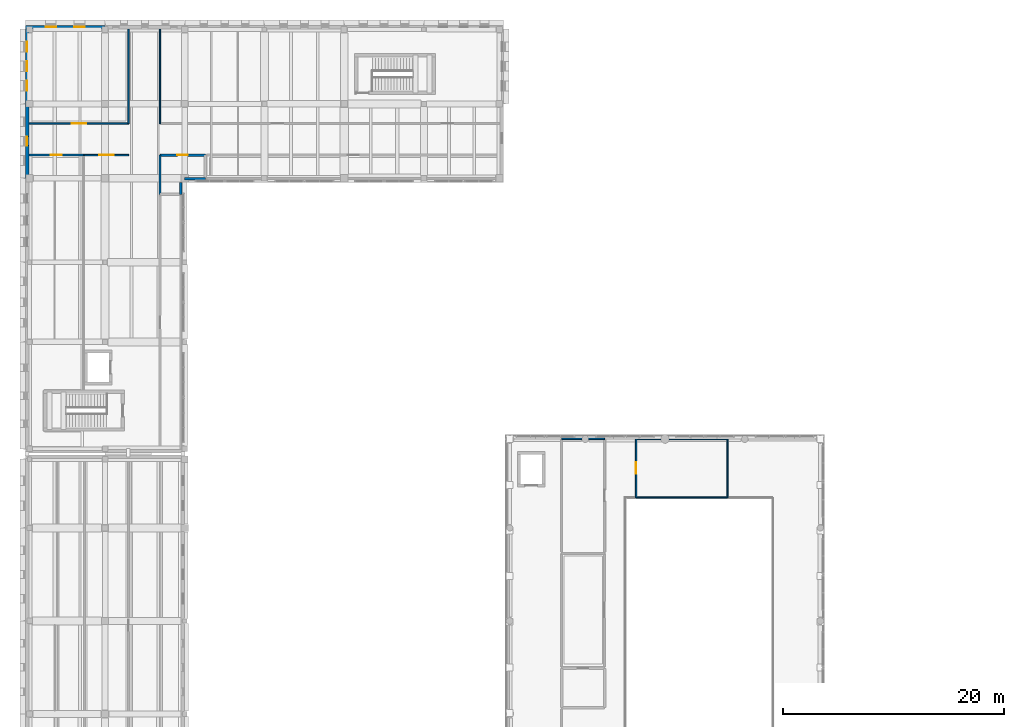
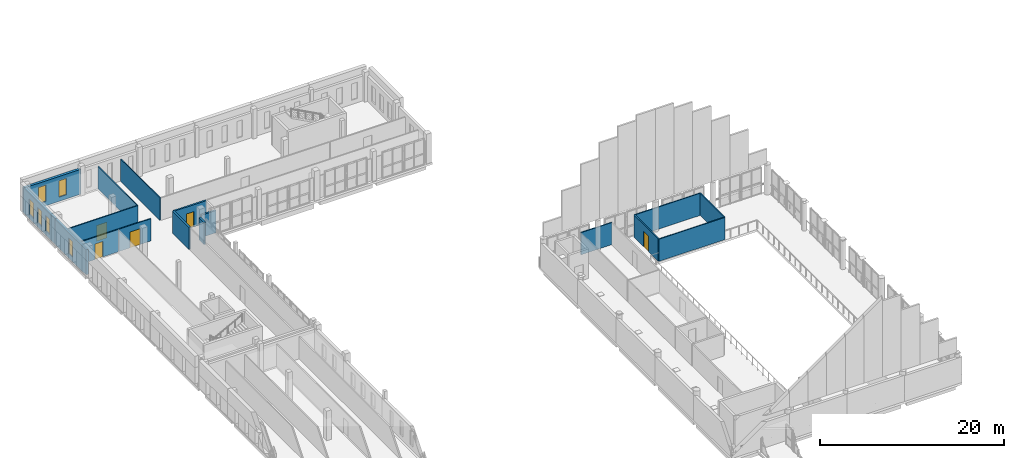
# One storey, part 58 of 76: 17 walls, 6 windows, 5 doors, 11 openings.
"""IFC4 building model written with IfcOpenShell, lengths in metres."""

from ifc_helpers import new_model, si_unit, direction, frame, frame_2d, origin, place, context, subcontext, project, spatial, rectangle, extrude, material, layer, layer_set, type_object, element, fill, save


model = new_model("IFC4")

# Units and contexts
model_context = context("Model", 3, precision=1e-05, world=origin(), true_north=direction((0.0, 1.0)))
body_context = subcontext(model_context, "Body", "Model", "MODEL_VIEW")
ifc_project = project(units=[si_unit("LENGTHUNIT", "METRE"), si_unit("AREAUNIT", "SQUARE_METRE"), si_unit("VOLUMEUNIT", "CUBIC_METRE"), si_unit("PLANEANGLEUNIT", "RADIAN"), si_unit("MASSUNIT", "GRAM", prefix="KILO")], contexts=[model_context])

# Site, building, storey
site_placement = place(None, origin())
site = spatial("IfcSite", under=ifc_project, at=site_placement, CompositionType="ELEMENT")
building_placement = place(site_placement, origin())
building = spatial("IfcBuilding", under=site, at=building_placement, Name="Vardoun Plaza Health Centre", CompositionType="ELEMENT")
storey_placement = place(building_placement, frame((0.0, 0.0, 4.5)))
storey = spatial("IfcBuildingStorey", under=building, at=storey_placement, Name="L01", CompositionType="ELEMENT", Elevation=4.5)

# Wall, openings, windows
ifc_material_1 = material(Name="Pale Limestone Concrete C35/45", Category="masonry")
ifc_layer_1 = layer(ifc_material_1, 0.31494140625)
ifc_layer_set_1 = layer_set([ifc_layer_1], Name="Pale Limestone Concrete C35/45")
wall_type_1 = type_object("IfcWallType", Name="EW-03", PredefinedType="SOLIDWALL", material=ifc_layer_set_1)
wall_1_placement = place(storey_placement, frame((4.5, 115.142578125, 0.0), z_axis=(0.0, 0.0, 1.0), x_axis=(1.0, 0.0, 0.0)))
wall_1 = element("IfcWall", 1, at=wall_1_placement, inside=storey, type_object=wall_type_1, Name="V3 L01 Exterior Wall EW-V3-259", PredefinedType="SOLIDWALL", context=body_context, shape_type="SweptSolid", body=[
    extrude(rectangle(XDim=7.199951171875, YDim=0.31494140625, at=frame_2d((3.60009765625, 0.0))), origin(), (0.0, 0.0, 1.0), 3.300048828125),
])
opening_1_placement = place(wall_1_placement, frame((1.833984375, 0.0, 0.550048828125)))
opening_1 = element("IfcOpeningElement", 2, at=opening_1_placement, cuts=wall_1, Name="Opening W-10-003", PredefinedType="OPENING", context=body_context, shape_type="SweptSolid", body=[
    extrude(rectangle(XDim=0.93994140625, YDim=2.179931640625, at=frame_2d((0.469970703125, 1.08984375))), frame((0.0, 0.157470703125, 0.0), z_axis=(0.0, -1.0, 0.0), x_axis=(1.0, 0.0, 0.0)), (0.0, 0.0, 1.0), 0.31494140625),
])
opening_2_placement = place(wall_1_placement, frame((4.426025390625, 0.0, 0.550048828125)))
opening_2 = element("IfcOpeningElement", 3, at=opening_2_placement, cuts=wall_1, Name="Opening W-10-004", PredefinedType="OPENING", context=body_context, shape_type="SweptSolid", body=[
    extrude(rectangle(XDim=0.93994140625, YDim=2.179931640625, at=frame_2d((0.469970703125, 1.08984375))), frame((0.0, 0.157470703125, 0.0), z_axis=(0.0, -1.0, 0.0), x_axis=(1.0, 0.0, 0.0)), (0.0, 0.0, 1.0), 0.31494140625),
])
ifc_material_2 = material(Name="Aluminium Alloy EN AW-6063-T6 and Low-E Glass", Category="aluminium")
window_type_1 = type_object("IfcWindowType", Name="W-10", PartitioningType="DOUBLE_PANEL_VERTICAL", PredefinedType="WINDOW", material=ifc_material_2)
window_1_placement = place(opening_1_placement, origin())
window_1 = element("IfcWindow", 4, at=window_1_placement, inside=storey, type_object=window_type_1, Name="V3 L01 Deep-Punched Slot Window W-10-388", OverallHeight=2.179931640625, OverallWidth=0.93994140625, PartitioningType="DOUBLE_PANEL_VERTICAL", PredefinedType="WINDOW", context=body_context, shape_type="SweptSolid", body=[
    extrude(rectangle(XDim=0.93994140625, YDim=2.179931640625, at=frame_2d((0.469970703125, 1.08984375))), frame((0.0, 0.030029296875, 0.0), z_axis=(0.0, -1.0, 0.0), x_axis=(1.0, 0.0, 0.0)), (0.0, 0.0, 1.0), 0.06005859375),
])
fill(opening_1, window_1)
window_2_placement = place(opening_2_placement, origin())
window_2 = element("IfcWindow", 5, at=window_2_placement, inside=storey, type_object=window_type_1, Name="V3 L01 Deep-Punched Slot Window W-10-389", OverallHeight=2.179931640625, OverallWidth=0.93994140625, PartitioningType="DOUBLE_PANEL_VERTICAL", PredefinedType="WINDOW", context=body_context, shape_type="SweptSolid", body=[
    extrude(rectangle(XDim=0.93994140625, YDim=2.179931640625, at=frame_2d((0.469970703125, 1.08984375))), frame((0.0, 0.030029296875, 0.0), z_axis=(0.0, -1.0, 0.0), x_axis=(1.0, 0.0, 0.0)), (0.0, 0.0, 1.0), 0.06005859375),
])
fill(opening_2, window_2)

# Wall, opening, window
wall_2_placement = place(storey_placement, frame((4.657470703125, 101.47998046875, 0.0), z_axis=(0.0, 0.0, 1.0), x_axis=(0.0, 1.0, 0.0)))
wall_2 = element("IfcWall", 6, at=wall_2_placement, inside=storey, type_object=wall_type_1, Name="V3 L01 Exterior Wall EW-V3-272", PredefinedType="SOLIDWALL", context=body_context, shape_type="SweptSolid", body=[
    extrude(rectangle(XDim=6.719970703125, YDim=0.31494140625, at=frame_2d((3.35986328125, 0.0))), origin(), (0.0, 0.0, 1.0), 3.320068359375),
])
opening_3_placement = place(wall_2_placement, frame((2.945068359375, 0.0, 0.550048828125)))
opening_3 = element("IfcOpeningElement", 7, at=opening_3_placement, cuts=wall_2, Name="Opening W-34-004", PredefinedType="OPENING", context=body_context, shape_type="SweptSolid", body=[
    extrude(rectangle(XDim=0.830078125, YDim=2.06005859375, at=frame_2d((0.4150390625, 1.030029296875))), frame((0.0, 0.157470703125, 0.0), z_axis=(0.0, -1.0, 0.0), x_axis=(1.0, 0.0, 0.0)), (0.0, 0.0, 1.0), 0.31494140625),
])
ifc_material_3 = material(Name="Aluminium Alloy EN AW-6063-T6 and Low-E Glass", Category="aluminium")
window_type_2 = type_object("IfcWindowType", Name="W-34", PartitioningType="SINGLE_PANEL", PredefinedType="WINDOW", material=ifc_material_3)
window_3_placement = place(opening_3_placement, origin())
window_3 = element("IfcWindow", 8, at=window_3_placement, inside=storey, type_object=window_type_2, Name="V3 L01 Deep-Punched Slot Window W-34-421", OverallHeight=2.06005859375, OverallWidth=0.830078125, PartitioningType="SINGLE_PANEL", PredefinedType="WINDOW", context=body_context, shape_type="SweptSolid", body=[
    extrude(rectangle(XDim=0.830078125, YDim=2.06005859375, at=frame_2d((0.4150390625, 1.030029296875))), frame((0.0, 0.030029296875, 0.0), z_axis=(0.0, -1.0, 0.0), x_axis=(1.0, 0.0, 0.0)), (0.0, 0.0, 1.0), 0.06005859375),
])
fill(opening_3, window_3)

# Wall, openings, windows
wall_3_placement = place(storey_placement, frame((4.657470703125, 108.199951171875, 0.0), z_axis=(0.0, 0.0, 1.0), x_axis=(0.0, 1.0, 0.0)))
wall_3 = element("IfcWall", 9, at=wall_3_placement, inside=storey, type_object=wall_type_1, Name="V3 L01 Exterior Wall EW-V3-273", PredefinedType="SOLIDWALL", context=body_context, shape_type="SweptSolid", body=[
    extrude(rectangle(XDim=6.78515625, YDim=0.31494140625, at=frame_2d((3.392578125, 0.0))), origin(), (0.0, 0.0, 1.0), 3.340087890625),
])
opening_4_placement = place(wall_3_placement, frame((1.183349609375, 0.0, 0.550048828125)))
opening_4 = element("IfcOpeningElement", 10, at=opening_4_placement, cuts=wall_3, Name="Opening W-35-009", PredefinedType="OPENING", context=body_context, shape_type="SweptSolid", body=[
    extrude(rectangle(XDim=0.889892578125, YDim=2.02001953125, at=frame_2d((0.44482421875, 1.010009765625))), frame((0.0, 0.157470703125, 0.0), z_axis=(0.0, -1.0, 0.0), x_axis=(1.0, 0.0, 0.0)), (0.0, 0.0, 1.0), 0.31494140625),
])
opening_5_placement = place(wall_3_placement, frame((2.947509765625, 0.0, 0.550048828125)))
opening_5 = element("IfcOpeningElement", 11, at=opening_5_placement, cuts=wall_3, Name="Opening W-35-010", PredefinedType="OPENING", context=body_context, shape_type="SweptSolid", body=[
    extrude(rectangle(XDim=0.889892578125, YDim=2.02001953125, at=frame_2d((0.44482421875, 1.010009765625))), frame((0.0, 0.157470703125, 0.0), z_axis=(0.0, -1.0, 0.0), x_axis=(1.0, 0.0, 0.0)), (0.0, 0.0, 1.0), 0.31494140625),
])
opening_6_placement = place(wall_3_placement, frame((4.711669921875, 0.0, 0.550048828125)))
opening_6 = element("IfcOpeningElement", 12, at=opening_6_placement, cuts=wall_3, Name="Opening W-35-011", PredefinedType="OPENING", context=body_context, shape_type="SweptSolid", body=[
    extrude(rectangle(XDim=0.889892578125, YDim=2.02001953125, at=frame_2d((0.44482421875, 1.010009765625))), frame((0.0, 0.157470703125, 0.0), z_axis=(0.0, -1.0, 0.0), x_axis=(1.0, 0.0, 0.0)), (0.0, 0.0, 1.0), 0.31494140625),
])
ifc_material_4 = material(Name="Aluminium Alloy EN AW-6063-T6 and Low-E Glass", Category="aluminium")
window_type_3 = type_object("IfcWindowType", Name="W-35", PartitioningType="DOUBLE_PANEL_VERTICAL", PredefinedType="WINDOW", material=ifc_material_4)
window_4_placement = place(opening_4_placement, origin())
window_4 = element("IfcWindow", 13, at=window_4_placement, inside=storey, type_object=window_type_3, Name="V3 L01 Deep-Punched Slot Window W-35-423", OverallHeight=2.02001953125, OverallWidth=0.889892578125, PartitioningType="DOUBLE_PANEL_VERTICAL", PredefinedType="WINDOW", context=body_context, shape_type="SweptSolid", body=[
    extrude(rectangle(XDim=0.889892578125, YDim=2.02001953125, at=frame_2d((0.44482421875, 1.010009765625))), frame((0.0, 0.030029296875, 0.0), z_axis=(0.0, -1.0, 0.0), x_axis=(1.0, 0.0, 0.0)), (0.0, 0.0, 1.0), 0.06005859375),
])
fill(opening_4, window_4)
window_5_placement = place(opening_5_placement, origin())
window_5 = element("IfcWindow", 14, at=window_5_placement, inside=storey, type_object=window_type_3, Name="V3 L01 Deep-Punched Slot Window W-35-424", OverallHeight=2.02001953125, OverallWidth=0.889892578125, PartitioningType="DOUBLE_PANEL_VERTICAL", PredefinedType="WINDOW", context=body_context, shape_type="SweptSolid", body=[
    extrude(rectangle(XDim=0.889892578125, YDim=2.02001953125, at=frame_2d((0.44482421875, 1.010009765625))), frame((0.0, 0.030029296875, 0.0), z_axis=(0.0, -1.0, 0.0), x_axis=(1.0, 0.0, 0.0)), (0.0, 0.0, 1.0), 0.06005859375),
])
fill(opening_5, window_5)
window_6_placement = place(opening_6_placement, origin())
window_6 = element("IfcWindow", 15, at=window_6_placement, inside=storey, type_object=window_type_3, Name="V3 L01 Deep-Punched Slot Window W-35-425", OverallHeight=2.02001953125, OverallWidth=0.889892578125, PartitioningType="DOUBLE_PANEL_VERTICAL", PredefinedType="WINDOW", context=body_context, shape_type="SweptSolid", body=[
    extrude(rectangle(XDim=0.889892578125, YDim=2.02001953125, at=frame_2d((0.44482421875, 1.010009765625))), frame((0.0, 0.030029296875, 0.0), z_axis=(0.0, -1.0, 0.0), x_axis=(1.0, 0.0, 0.0)), (0.0, 0.0, 1.0), 0.06005859375),
])
fill(opening_6, window_6)

# Wall, opening, door
ifc_material_5 = material(Name="Acoustic Gypsum Twin-Stud", Category="steel")
ifc_layer_2 = layer(ifc_material_5, 0.14990234375)
ifc_layer_set_2 = layer_set([ifc_layer_2], Name="Acoustic Gypsum Twin-Stud")
wall_type_2 = type_object("IfcWallType", Name="IW-04", PredefinedType="PARTITIONING", material=ifc_layer_set_2)
wall_4_placement = place(storey_placement, frame((59.669921875, 72.64990234375, 0.0), z_axis=(0.0, 0.0, 1.0), x_axis=(0.0, 1.0, 0.0)))
wall_4 = element("IfcWall", 16, at=wall_4_placement, inside=storey, type_object=wall_type_2, Name="Patient Information Lounge Partition Wall", PredefinedType="PARTITIONING", context=body_context, shape_type="SweptSolid", body=[
    extrude(rectangle(XDim=5.300048828125, YDim=0.14990234375, at=frame_2d((2.64990234375, 0.0))), origin(), (0.0, 0.0, 1.0), 2.93994140625),
])
opening_7_placement = place(wall_4_placement, frame((2.1298828125, 0.0, 0.0)))
opening_7 = element("IfcOpeningElement", 17, at=opening_7_placement, cuts=wall_4, Name="Opening D-L01-015", PredefinedType="OPENING", context=body_context, shape_type="SweptSolid", body=[
    extrude(rectangle(XDim=1.0400390625, YDim=2.050048828125, at=frame_2d((0.52001953125, 1.02490234375))), frame((0.0, 0.074951171875, 0.0), z_axis=(0.0, -1.0, 0.0), x_axis=(1.0, 0.0, 0.0)), (0.0, 0.0, 1.0), 0.14990234375),
])
ifc_material_6 = material(Name="Antimicrobial Acoustic Timber and Steel S275JR", Category="steel")
door_type_1 = type_object("IfcDoorType", Name="CD-04", OperationType="NOTDEFINED", PredefinedType="DOOR", material=ifc_material_6)
door_1_placement = place(opening_7_placement, origin())
door_1 = element("IfcDoor", 18, at=door_1_placement, inside=storey, type_object=door_type_1, Name="Patient Information Lounge Door D-L01-015", OperationType="SINGLE_SWING_LEFT", OverallHeight=2.050048828125, OverallWidth=1.0400390625, PredefinedType="DOOR", context=body_context, shape_type="SweptSolid", body=[
    extrude(rectangle(XDim=1.0400390625, YDim=2.050048828125, at=frame_2d((0.52001953125, 1.02490234375))), frame((0.0, 0.02490234375, 0.0), z_axis=(0.0, -1.0, 0.0), x_axis=(1.0, 0.0, 0.0)), (0.0, 0.0, 1.0), 0.050048828125),
])
fill(opening_7, door_1)

wall_5_placement = place(storey_placement, frame((4.85009765625, 103.580078125, 0.0), z_axis=(0.0, 0.0, 1.0), x_axis=(1.0, 0.0, 0.0)))
wall_5 = element("IfcWall", 19, at=wall_5_placement, inside=storey, type_object=wall_type_2, Name="Adolescent Health Consulting Room Partition Wall", PredefinedType="PARTITIONING", context=body_context, shape_type="SweptSolid", body=[
    extrude(rectangle(XDim=4.909912109375, YDim=0.14990234375, at=frame_2d((2.455078125, 0.0))), origin(), (0.0, 0.0, 1.0), 2.955078125),
])
opening_8_placement = place(wall_5_placement, frame((1.955078125, 0.0, 0.0)))
opening_8 = element("IfcOpeningElement", 20, at=opening_8_placement, cuts=wall_5, Name="Opening D-L01-090", PredefinedType="OPENING", context=body_context, shape_type="SweptSolid", body=[
    extrude(rectangle(XDim=1.0, YDim=2.050048828125, at=frame_2d((0.5, 1.02490234375))), frame((0.0, 0.074951171875, 0.0), z_axis=(0.0, -1.0, 0.0), x_axis=(1.0, 0.0, 0.0)), (0.0, 0.0, 1.0), 0.14990234375),
])
ifc_material_7 = material(Name="Antimicrobial Acoustic Timber and Steel S275JR", Category="steel")
door_type_2 = type_object("IfcDoorType", Name="CD-03", OperationType="NOTDEFINED", PredefinedType="DOOR", material=ifc_material_7)
door_2_placement = place(opening_8_placement, origin())
door_2 = element("IfcDoor", 21, at=door_2_placement, inside=storey, type_object=door_type_2, Name="Adolescent Health Consulting Room Door D-L01-090", OperationType="SINGLE_SWING_RIGHT", OverallHeight=2.050048828125, OverallWidth=1.0, PredefinedType="DOOR", context=body_context, shape_type="SweptSolid", body=[
    extrude(rectangle(XDim=1.0, YDim=2.050048828125, at=frame_2d((0.5, 1.02490234375))), frame((0.0, 0.02490234375, 0.0), z_axis=(0.0, -1.0, 0.0), x_axis=(1.0, 0.0, 0.0)), (0.0, 0.0, 1.0), 0.050048828125),
])
fill(opening_8, door_2)

# Walls
ifc_material_8 = material(Name="Standard Clinical Sub-Partition", Category="steel")
ifc_layer_3 = layer(ifc_material_8, 0.125)
ifc_layer_set_3 = layer_set([ifc_layer_3], Name="Standard Clinical Sub-Partition")
wall_type_3 = type_object("IfcWallType", Name="IW-11", PredefinedType="PARTITIONING", material=ifc_layer_set_3)
wall_6_placement = place(storey_placement, frame((59.669921875, 77.949951171875, 0.0), z_axis=(0.0, 0.0, 1.0), x_axis=(1.0, 0.0, 0.0)))
element("IfcWall", 22, at=wall_6_placement, inside=storey, type_object=wall_type_3, Name="Patient Information Lounge Enclosure Partition", PredefinedType="PARTITIONING", context=body_context, shape_type="SweptSolid", body=[
    extrude(rectangle(XDim=8.25, YDim=0.125, at=frame_2d((4.125, 0.0))), origin(), (0.0, 0.0, 1.0), 2.93994140625),
])
wall_7_placement = place(storey_placement, frame((67.919921875, 77.949951171875, 0.0), z_axis=(0.0, 0.0, 1.0), x_axis=(0.0, -1.0, 0.0)))
element("IfcWall", 23, at=wall_7_placement, inside=storey, type_object=wall_type_3, Name="Patient Information Lounge Enclosure Partition", PredefinedType="PARTITIONING", context=body_context, shape_type="SweptSolid", body=[
    extrude(rectangle(XDim=5.300048828125, YDim=0.125, at=frame_2d((2.64990234375, 0.0))), origin(), (0.0, 0.0, 1.0), 2.93994140625),
])
wall_8_placement = place(storey_placement, frame((67.919921875, 72.64990234375, 0.0), z_axis=(0.0, 0.0, 1.0), x_axis=(-1.0, 0.0, 0.0)))
element("IfcWall", 24, at=wall_8_placement, inside=storey, type_object=wall_type_3, Name="Patient Information Lounge Enclosure Partition", PredefinedType="PARTITIONING", context=body_context, shape_type="SweptSolid", body=[
    extrude(rectangle(XDim=8.25, YDim=0.125, at=frame_2d((4.125, 0.0))), origin(), (0.0, 0.0, 1.0), 2.93994140625),
])
wall_9_placement = place(storey_placement, frame((52.93994140625, 77.949951171875, 0.0), z_axis=(0.0, 0.0, 1.0), x_axis=(1.0, 0.0, 0.0)))
element("IfcWall", 25, at=wall_9_placement, inside=storey, type_object=wall_type_3, Name="Waiting Concourse Gallery North A Enclosure Partition", PredefinedType="PARTITIONING", context=body_context, shape_type="SweptSolid", body=[
    extrude(rectangle(XDim=3.89013671875, YDim=0.125, at=frame_2d((1.945068359375, 0.0))), origin(), (0.0, 0.0, 1.0), 2.93994140625),
])
for number, where, z_axis, x_axis, name in (
    (26, (16.669921875, 106.419921875, 0.0), (0.0, 0.0, 1.0), (0.0, 1.0, 0.0), "Paediatric Consulting Room 11 Enclosure Partition"),
    (27, (13.830078125, 114.949951171875, 0.0), (0.0, 0.0, 1.0), (0.0, -1.0, 0.0), "Community Health Seminar Room 2 Enclosure Partition"),
):
    element("IfcWall", number, at=place(storey_placement, frame(where, z_axis=z_axis, x_axis=x_axis)), inside=storey, type_object=wall_type_3, Name=name, PredefinedType="PARTITIONING", context=body_context, shape_type="SweptSolid", body=[
        extrude(rectangle(XDim=8.530029296875, YDim=0.125, at=frame_2d((4.26513671875, 0.0))), origin(), (0.0, 0.0, 1.0), 2.955078125),
    ])

# Wall, opening, door
ifc_material_9 = material(Name="Acoustic Demountable Seminar Wall", Category="steel")
ifc_layer_4 = layer(ifc_material_9, 0.135009765625)
ifc_layer_set_4 = layer_set([ifc_layer_4], Name="Acoustic Demountable Seminar Wall")
wall_type_4 = type_object("IfcWallType", Name="IW-07", PredefinedType="MOVABLE", material=ifc_layer_set_4)
wall_10_placement = place(storey_placement, frame((9.840087890625, 103.580078125, 0.0), z_axis=(0.0, 0.0, 1.0), x_axis=(1.0, 0.0, 0.0)))
wall_10 = element("IfcWall", 28, at=wall_10_placement, inside=storey, type_object=wall_type_4, Name="Community Health Seminar Room 1 Partition Wall", PredefinedType="MOVABLE", context=body_context, shape_type="SweptSolid", body=[
    extrude(rectangle(XDim=3.989990234375, YDim=0.135009765625, at=frame_2d((1.9951171875, 0.0))), origin(), (0.0, 0.0, 1.0), 2.955078125),
])
opening_9_placement = place(wall_10_placement, frame((1.344970703125, 0.0, 0.0)))
opening_9 = element("IfcOpeningElement", 29, at=opening_9_placement, cuts=wall_10, Name="Opening D-L01-091", PredefinedType="OPENING", context=body_context, shape_type="SweptSolid", body=[
    extrude(rectangle(XDim=1.300048828125, YDim=2.10009765625, at=frame_2d((0.64990234375, 1.050048828125))), frame((0.0, 0.0673828125, 0.0), z_axis=(0.0, -1.0, 0.0), x_axis=(1.0, 0.0, 0.0)), (0.0, 0.0, 1.0), 0.135009765625),
])
ifc_material_10 = material(Name="Antimicrobial Acoustic Timber and Steel S275JR", Category="steel")
door_type_3 = type_object("IfcDoorType", Name="CD-09", OperationType="NOTDEFINED", PredefinedType="DOOR", material=ifc_material_10)
door_3_placement = place(opening_9_placement, origin())
door_3 = element("IfcDoor", 30, at=door_3_placement, inside=storey, type_object=door_type_3, Name="Community Health Seminar Room 1 Door D-L01-091", OperationType="SINGLE_SWING_LEFT", OverallHeight=2.10009765625, OverallWidth=1.300048828125, PredefinedType="DOOR", context=body_context, shape_type="SweptSolid", body=[
    extrude(rectangle(XDim=1.300048828125, YDim=2.10009765625, at=frame_2d((0.64990234375, 1.050048828125))), frame((0.0, 0.02490234375, 0.0), z_axis=(0.0, -1.0, 0.0), x_axis=(1.0, 0.0, 0.0)), (0.0, 0.0, 1.0), 0.050048828125),
])
fill(opening_9, door_3)

wall_11_placement = place(storey_placement, frame((13.830078125, 106.419921875, 0.0), z_axis=(0.0, 0.0, 1.0), x_axis=(-1.0, 0.0, 0.0)))
wall_11 = element("IfcWall", 31, at=wall_11_placement, inside=storey, type_object=wall_type_4, Name="Community Health Seminar Room 2 Partition Wall", PredefinedType="MOVABLE", context=body_context, shape_type="SweptSolid", body=[
    extrude(rectangle(XDim=8.97998046875, YDim=0.135009765625, at=frame_2d((4.489990234375, 0.0))), origin(), (0.0, 0.0, 1.0), 2.955078125),
])
opening_10_placement = place(wall_11_placement, frame((3.840087890625, 0.0, 0.0)))
opening_10 = element("IfcOpeningElement", 32, at=opening_10_placement, cuts=wall_11, Name="Opening D-L01-092", PredefinedType="OPENING", context=body_context, shape_type="SweptSolid", body=[
    extrude(rectangle(XDim=1.300048828125, YDim=2.10009765625, at=frame_2d((0.64990234375, 1.050048828125))), frame((0.0, 0.0673828125, 0.0), z_axis=(0.0, -1.0, 0.0), x_axis=(1.0, 0.0, 0.0)), (0.0, 0.0, 1.0), 0.135009765625),
])
door_4_placement = place(opening_10_placement, origin())
door_4 = element("IfcDoor", 33, at=door_4_placement, inside=storey, type_object=door_type_3, Name="Community Health Seminar Room 2 Door D-L01-092", OperationType="SINGLE_SWING_RIGHT", OverallHeight=2.10009765625, OverallWidth=1.300048828125, PredefinedType="DOOR", context=body_context, shape_type="SweptSolid", body=[
    extrude(rectangle(XDim=1.300048828125, YDim=2.10009765625, at=frame_2d((0.64990234375, 1.050048828125))), frame((0.0, 0.02490234375, 0.0), z_axis=(0.0, -1.0, 0.0), x_axis=(1.0, 0.0, 0.0)), (0.0, 0.0, 1.0), 0.050048828125),
])
fill(opening_10, door_4)

ifc_material_11 = material(Name="Moisture-Resistant Plumbing Chase", Category="steel")
ifc_layer_5 = layer(ifc_material_11, 0.215087890625)
ifc_layer_set_5 = layer_set([ifc_layer_5], Name="Moisture-Resistant Plumbing Chase")
wall_type_5 = type_object("IfcWallType", Name="IW-06", PredefinedType="PLUMBINGWALL", material=ifc_layer_set_5)
wall_12_placement = place(storey_placement, frame((16.669921875, 103.580078125, 0.0), z_axis=(0.0, 0.0, 1.0), x_axis=(1.0, 0.0, 0.0)))
wall_12 = element("IfcWall", 34, at=wall_12_placement, inside=storey, type_object=wall_type_5, Name="Accessible WC L01-V3 Partition Wall", PredefinedType="PLUMBINGWALL", context=body_context, shape_type="SweptSolid", body=[
    extrude(rectangle(XDim=4.08349609375, YDim=0.215087890625, at=frame_2d((2.041748046875, 0.0))), origin(), (0.0, 0.0, 1.0), 2.955078125),
])
opening_11_placement = place(wall_12_placement, frame((1.566650390625, 0.0, 0.0)))
opening_11 = element("IfcOpeningElement", 35, at=opening_11_placement, cuts=wall_12, Name="Opening D-L01-088", PredefinedType="OPENING", context=body_context, shape_type="SweptSolid", body=[
    extrude(rectangle(XDim=0.949951171875, YDim=2.050048828125, at=frame_2d((0.47509765625, 1.02490234375))), frame((0.0, 0.107421875, 0.0), z_axis=(0.0, -1.0, 0.0), x_axis=(1.0, 0.0, 0.0)), (0.0, 0.0, 1.0), 0.215087890625),
])
ifc_material_12 = material(Name="Antimicrobial Acoustic Timber and Steel S275JR", Category="steel")
door_type_4 = type_object("IfcDoorType", Name="CD-07", OperationType="NOTDEFINED", PredefinedType="DOOR", material=ifc_material_12)
door_5_placement = place(opening_11_placement, origin())
door_5 = element("IfcDoor", 36, at=door_5_placement, inside=storey, type_object=door_type_4, Name="Accessible WC L01-V3 Door D-L01-088", OperationType="SINGLE_SWING_RIGHT", OverallHeight=2.050048828125, OverallWidth=0.949951171875, PredefinedType="DOOR", context=body_context, shape_type="SweptSolid", body=[
    extrude(rectangle(XDim=0.949951171875, YDim=2.050048828125, at=frame_2d((0.47509765625, 1.02490234375))), frame((0.0, 0.02490234375, 0.0), z_axis=(0.0, -1.0, 0.0), x_axis=(1.0, 0.0, 0.0)), (0.0, 0.0, 1.0), 0.050048828125),
])
fill(opening_11, door_5)

# Walls
wall_13_placement = place(storey_placement, frame((18.550048828125, 101.10009765625, 0.0), z_axis=(0.0, 0.0, 1.0), x_axis=(0.0, -1.0, 0.0)))
element("IfcWall", 37, at=wall_13_placement, inside=storey, type_object=wall_type_5, Name="Accessible WC L01-V3 Enclosure Partition", PredefinedType="PLUMBINGWALL", context=body_context, shape_type="SweptSolid", body=[
    extrude(rectangle(XDim=1.071044921875, YDim=0.215087890625, at=frame_2d((0.53564453125, 0.0))), origin(), (0.0, 0.0, 1.0), 2.955078125),
])
wall_14_placement = place(storey_placement, frame((16.669921875, 100.029052734375, 0.0), z_axis=(0.0, 0.0, 1.0), x_axis=(0.0, 1.0, 0.0)))
element("IfcWall", 38, at=wall_14_placement, inside=storey, type_object=wall_type_5, Name="Accessible WC L01-V3 Enclosure Partition", PredefinedType="PLUMBINGWALL", context=body_context, shape_type="SweptSolid", body=[
    extrude(rectangle(XDim=3.551025390625, YDim=0.215087890625, at=frame_2d((1.775390625, 0.0))), origin(), (0.0, 0.0, 1.0), 2.955078125),
])
wall_15_placement = place(storey_placement, frame((20.75341796875, 101.449951171875, 0.0), z_axis=(0.0, 0.0, 1.0), x_axis=(-1.0, 0.0, 0.0)))
element("IfcWall", 39, at=wall_15_placement, inside=storey, type_object=wall_type_5, Name="Accessible WC L01-V3 Enclosure Partition", PredefinedType="PLUMBINGWALL", context=body_context, shape_type="SweptSolid", body=[
    extrude(rectangle(XDim=1.853515625, YDim=0.215087890625, at=frame_2d((0.9267578125, 0.0))), origin(), (0.0, 0.0, 1.0), 2.955078125),
])

save(model, "model.ifc")
